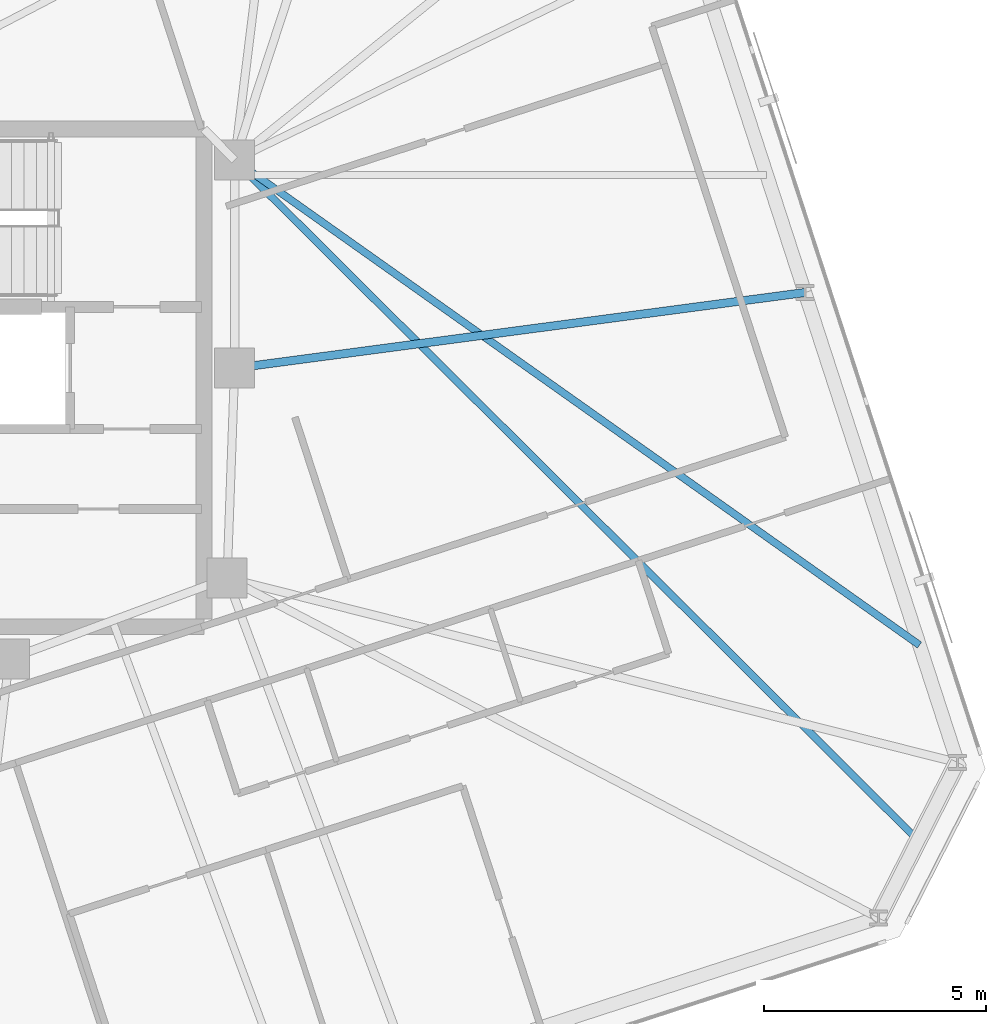
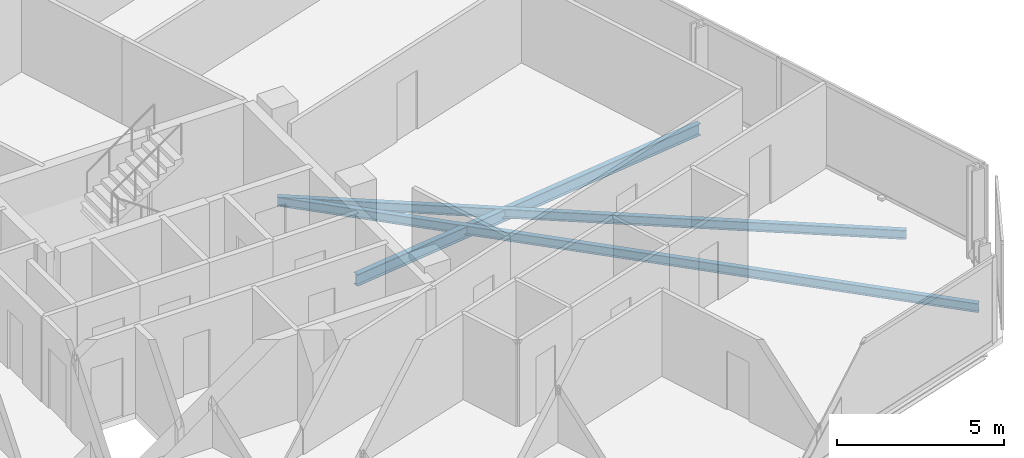
# One storey, part 8 of 20: 3 beams.
"""IFC4 building model written with IfcOpenShell, lengths in metres."""

import ifcopenshell
import ifcopenshell.guid

model = None  # the IFC model being written
_history = None  # IfcOwnerHistory: only IFC2X3 demands one
_inside = {}  # id of a spatial element -> (the spatial element, [elements in it])
_under = {}  # id of a project, library or spatial element -> (it, [spatial elements below it])
_declared = {}  # id of a project -> (the project, [libraries it declares])
_typed = {}  # id of a type object -> (the type object, [elements of that type])
_made_of = {}  # id of a material, layer set ... -> (it, [elements and type objects made of it])


def new_model(schema):
    """Start an empty IFC model of exactly this schema.

    Asked for "IFC4X3", IfcOpenShell would pick the latest addendum, in which some entities
    have other attributes; the version numbers below select the first issue.
    IFC2X3 requires an IfcOwnerHistory on every rooted entity: one is made here for all.
    """
    global model, _history
    if schema == "IFC4X3":
        model = ifcopenshell.file(schema_version=(4, 3, 0, 0))
    else:
        model = ifcopenshell.file(schema=schema)
    _inside.clear()
    _under.clear()
    _declared.clear()
    _typed.clear()
    _made_of.clear()
    _history = None
    if model.schema == "IFC2X3":
        org = make("IfcOrganization", Name="unknown")
        user = make(
            "IfcPersonAndOrganization",
            ThePerson=make("IfcPerson", FamilyName="unknown"),
            TheOrganization=org,
        )
        app = make(
            "IfcApplication",
            ApplicationDeveloper=org,
            Version="unknown",
            ApplicationFullName="unknown",
            ApplicationIdentifier="unknown",
        )
        _history = make(
            "IfcOwnerHistory",
            OwningUser=user,
            OwningApplication=app,
            ChangeAction="ADDED",
            CreationDate=0,
        )
    return model


def make(cls, **values):
    """One entity of the class cls with the attributes given. An attribute that is None is left unset."""
    return model.create_entity(
        cls, **{name: value for name, value in values.items() if value is not None}
    )


def rooted(cls, **values):
    """An entity with a GlobalId (a new one), such as an element, a storey or a relation."""
    return make(cls, GlobalId=ifcopenshell.guid.new(), OwnerHistory=_history, **values)


def si_unit(unit_type, name, prefix=None):
    """IfcSIUnit, for example si_unit("LENGTHUNIT", "METRE", prefix="MILLI")."""
    return make("IfcSIUnit", UnitType=unit_type, Prefix=prefix, Name=name)


def assignment(units):
    """IfcUnitAssignment: the units of a project."""
    return None if units is None else make("IfcUnitAssignment", Units=units)


def point(xyz):
    """IfcCartesianPoint."""
    return None if xyz is None else make("IfcCartesianPoint", Coordinates=xyz)


def direction(xyz):
    """IfcDirection."""
    return None if xyz is None else make("IfcDirection", DirectionRatios=xyz)


def frame(location, z_axis=None, x_axis=None):
    """IfcAxis2Placement3D, a coordinate frame: its origin and axes. An axis left out is left unset."""
    return make(
        "IfcAxis2Placement3D",
        Location=point(location),
        Axis=direction(z_axis),
        RefDirection=direction(x_axis),
    )


def frame_2d(location, x_axis=None):
    """IfcAxis2Placement2D, a coordinate frame in the plane: its origin and x axis."""
    return make(
        "IfcAxis2Placement2D", Location=point(location), RefDirection=direction(x_axis)
    )


def origin():
    """The frame at (0, 0, 0) with its axes left unset."""
    return frame((0.0, 0.0, 0.0))


def origin_2d():
    """The frame at (0, 0) in the plane with its x axis left unset."""
    return frame_2d((0.0, 0.0))


def place(relative_to, where):
    """IfcLocalPlacement: puts the frame where relative to a parent placement (None: the world)."""
    return make(
        "IfcLocalPlacement", PlacementRelTo=relative_to, RelativePlacement=where
    )


def context(
    kind, dimensions, precision=None, world=None, true_north=None, identifier=None
):
    """IfcGeometricRepresentationContext, for example the 3D "Model" context."""
    return make(
        "IfcGeometricRepresentationContext",
        ContextIdentifier=identifier,
        ContextType=kind,
        CoordinateSpaceDimension=dimensions,
        Precision=precision,
        WorldCoordinateSystem=world,
        TrueNorth=true_north,
    )


def subcontext(parent, identifier, kind, view, scale=None):
    """IfcGeometricRepresentationSubContext, for example "Body" below "Model"."""
    return make(
        "IfcGeometricRepresentationSubContext",
        ContextIdentifier=identifier,
        ContextType=kind,
        ParentContext=parent,
        TargetScale=scale,
        TargetView=view,
    )


def project(units=None, contexts=None):
    """IfcProject with its units and contexts."""
    return rooted(
        "IfcProject",
        Name="project",
        RepresentationContexts=contexts,
        UnitsInContext=assignment(units),
    )


def spatial(cls, under=None, at=None, **own):
    """A site, building, storey or space (cls), placed at a placement, below another one or the project."""
    s = rooted(cls, ObjectPlacement=at, **own)
    if under is not None:
        _under.setdefault(under.id(), (under, []))[1].append(s)
    return s


def profile(cls, at=None, kind="AREA", **sizes):
    """A parametric profile (cls). Its sizes go by their IFC names, for example OverallWidth=200.0."""
    return make(cls, ProfileType=kind, Position=at, **sizes)


def i_section(**sizes):
    """IfcIShapeProfileDef."""
    return profile("IfcIShapeProfileDef", **sizes)


def extrude(swept, where, along, depth):
    """IfcExtrudedAreaSolid: the profile swept, set in the frame where, extruded along a direction by depth."""
    return make(
        "IfcExtrudedAreaSolid",
        SweptArea=swept,
        Position=where,
        ExtrudedDirection=direction(along),
        Depth=depth,
    )


def shape(context_of_items, identifier, shape_type, items):
    """IfcShapeRepresentation: the items that make up one representation, for example the "Body"."""
    return make(
        "IfcShapeRepresentation",
        ContextOfItems=context_of_items,
        RepresentationIdentifier=identifier,
        RepresentationType=shape_type,
        Items=items,
    )


def material(Name=None, Category=None):
    """IfcMaterial."""
    return make("IfcMaterial", Name=Name, Category=Category)


def material_profile(
    of_material, cross_section, Name=None, Category=None, Priority=None
):
    """IfcMaterialProfile: a cross section and its material."""
    return make(
        "IfcMaterialProfile",
        Name=Name,
        Material=of_material,
        Profile=cross_section,
        Priority=Priority,
        Category=Category,
    )


def profile_set(profiles, Name=None, composite=None):
    """IfcMaterialProfileSet."""
    return make(
        "IfcMaterialProfileSet",
        Name=Name,
        MaterialProfiles=profiles,
        CompositeProfile=composite,
    )


def made_of(thing, what):
    """Note that an element or type object is made of a material, layer set ...; save() writes the relation."""
    if what is not None:
        _made_of.setdefault(what.id(), (what, []))[1].append(thing)
    return thing


def type_object(cls, material=None, **own):
    """A type object (cls), such as IfcWallType, which elements share."""
    return made_of(rooted(cls, **own), material)


def element(
    cls,
    number,
    at=None,
    inside=None,
    cuts=None,
    type_object=None,
    material=None,
    context=None,
    identifier="Body",
    shape_type=None,
    held_by="IfcProductDefinitionShape",
    body=None,
    shapes=None,
    **own,
):
    """One element of the class cls, such as IfcWall. Its Tag is "e" and its number.

    at: its placement. inside: the storey or other place that contains it. cuts: it is an
    opening in that element (IfcRelVoidsElement). A single representation is given by context,
    identifier, shape_type and body (its items); several are given by shapes. held_by: the class
    of the entity that holds the representations. save() writes the other relations.
    """
    e = rooted(cls, Tag="e%d" % number, ObjectPlacement=at, **own)
    if body is not None:
        shapes = [shape(context, identifier, shape_type, body)]
    if shapes is not None:
        e.Representation = make(held_by, Representations=shapes)
    if inside is not None:
        _inside.setdefault(inside.id(), (inside, []))[1].append(e)
    if cuts is not None:
        rooted(
            "IfcRelVoidsElement", RelatingBuildingElement=cuts, RelatedOpeningElement=e
        )
    if type_object is not None:
        _typed.setdefault(type_object.id(), (type_object, []))[1].append(e)
    return made_of(e, material)


def aggregate(whole, parts):
    """IfcRelAggregates: a whole, such as a stair, and the parts it consists of."""
    return rooted("IfcRelAggregates", RelatingObject=whole, RelatedObjects=parts)


def save(model, path):
    """Write the relations noted so far, then the file.

    IfcRelAggregates (storeys below a building ...), IfcRelContainedInSpatialStructure (elements
    in a storey), IfcRelDefinesByType, IfcRelAssociatesMaterial and IfcRelDeclares: one each for
    every whole, place, type object, material and project.
    """
    for whole, parts in _under.values():
        aggregate(whole, parts)
    for where, things in _inside.values():
        rooted(
            "IfcRelContainedInSpatialStructure",
            RelatedElements=things,
            RelatingStructure=where,
        )
    for kind, things in _typed.values():
        rooted("IfcRelDefinesByType", RelatedObjects=things, RelatingType=kind)
    for what, things in _made_of.values():
        rooted("IfcRelAssociatesMaterial", RelatedObjects=things, RelatingMaterial=what)
    for by, libraries in _declared.values():
        rooted("IfcRelDeclares", RelatingContext=by, RelatedDefinitions=libraries)
    model.write(path)


model = new_model("IFC4")

# Units and contexts
model_context = context("Model", 3, precision=1e-05, world=origin(), true_north=direction((0.0, 1.0)))
body_context = subcontext(model_context, "Body", "Model", "MODEL_VIEW")
ifc_project = project(units=[si_unit("LENGTHUNIT", "METRE"), si_unit("AREAUNIT", "SQUARE_METRE"), si_unit("VOLUMEUNIT", "CUBIC_METRE"), si_unit("PLANEANGLEUNIT", "RADIAN"), si_unit("MASSUNIT", "GRAM", prefix="KILO")], contexts=[model_context])

# Site, building, storey
site_placement = place(None, origin())
site = spatial("IfcSite", under=ifc_project, at=site_placement, CompositionType="ELEMENT")
building_placement = place(site_placement, origin())
building = spatial("IfcBuilding", under=site, at=building_placement, Name="Menara Jurai Vektor", CompositionType="ELEMENT")
storey_placement = place(building_placement, frame((0.0, 0.0, 227.64990234375)))
storey = spatial("IfcBuildingStorey", under=building, at=storey_placement, Name="L60", CompositionType="ELEMENT", Elevation=227.64990234375)

# Beams
ifc_material = material(Name="Steel S355", Category="steel")
ifc_material_profile_1 = material_profile(ifc_material, i_section(OverallWidth=0.18505859375, OverallDepth=0.429931640625, WebThickness=0.010986328125, FlangeThickness=0.01806640625, at=origin_2d()), Name="PG 430x185x76")
ifc_profile_set_1 = profile_set([ifc_material_profile_1], Name="Steel S355")
beam_type_1 = type_object("IfcBeamType", Name="STR-BM-430", PredefinedType="BEAM", material=ifc_profile_set_1)
beam_1_placement = place(storey_placement, frame((28.07763671875, 1.92236328125, -0.43994140625), z_axis=(-0.99130829243, -0.131559375797, 0.0), x_axis=(0.131559375797, -0.99130829243, 0.0)))
element("IfcBeam", 1, at=beam_1_placement, inside=storey, type_object=beam_type_1, Name="Radial Floor Girder L60-E2", PredefinedType="BEAM", context=body_context, shape_type="SweptSolid", body=[
    extrude(i_section(OverallWidth=0.18505859375, OverallDepth=0.429931640625, WebThickness=0.010986328125, FlangeThickness=0.01806640625, at=origin_2d()), origin(), (0.0, 0.0, 1.0), 12.940185546875),
])
ifc_material_profile_2 = material_profile(ifc_material, i_section(OverallWidth=0.1650390625, OverallDepth=0.330078125, WebThickness=0.009033203125, FlangeThickness=0.013916015625, at=origin_2d()), Name="PG 330x165x46")
ifc_profile_set_2 = profile_set([ifc_material_profile_2], Name="Steel S355")
beam_type_2 = type_object("IfcBeamType", Name="STR-JS-330", PredefinedType="JOIST", material=ifc_profile_set_2)
beam_2_placement = place(storey_placement, frame((30.62353515625, -10.398681640625, -0.389892578125), z_axis=(-0.70883256901, 0.705376771032, 0.0), x_axis=(-0.705376771032, -0.70883256901, 0.0)))
element("IfcBeam", 2, at=beam_2_placement, inside=storey, type_object=beam_type_2, Name="Radial Secondary Floor Joist L60-JS09", PredefinedType="JOIST", context=body_context, shape_type="SweptSolid", body=[
    extrude(i_section(OverallWidth=0.1650390625, OverallDepth=0.330078125, WebThickness=0.009033203125, FlangeThickness=0.013916015625, at=origin_2d()), origin(), (0.0, 0.0, 1.0), 21.6884765625),
])
beam_3_placement = place(storey_placement, frame((30.654296875, -6.00830078125, -0.389892578125), z_axis=(-0.816103783972, 0.577905367501, 0.0), x_axis=(-0.577905367501, -0.816103783972, 0.0)))
element("IfcBeam", 3, at=beam_3_placement, inside=storey, type_object=beam_type_2, Name="Radial Secondary Floor Joist L60-JS10", PredefinedType="JOIST", context=body_context, shape_type="SweptSolid", body=[
    extrude(i_section(OverallWidth=0.1650390625, OverallDepth=0.330078125, WebThickness=0.009033203125, FlangeThickness=0.013916015625, at=origin_2d()), origin(), (0.0, 0.0, 1.0), 18.87548828125),
])

save(model, "model.ifc")
